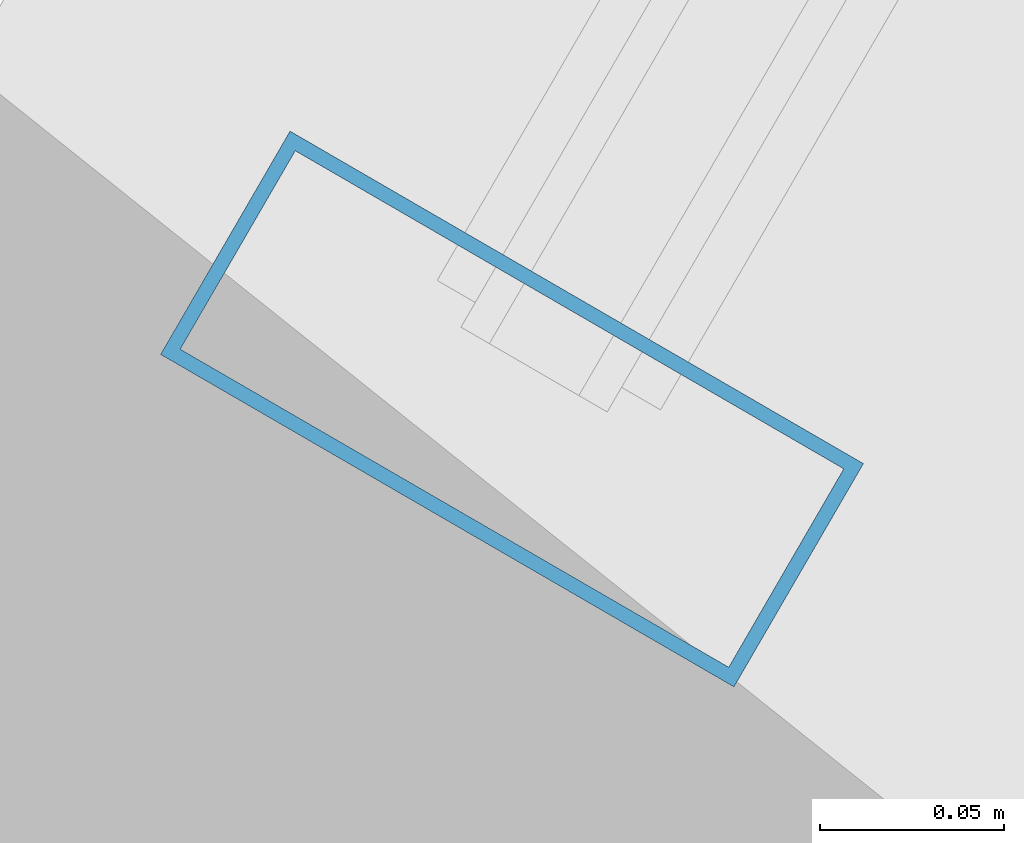
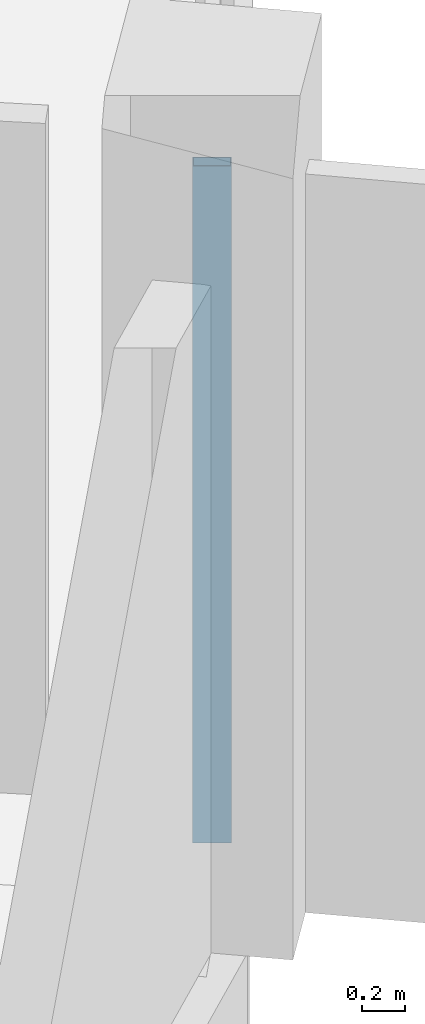
# One storey, part 49 of 156: 1 member, 1 element without a shape of its own.
"""IFC4 building model written with IfcOpenShell, lengths in metres."""

from ifc_helpers import new_model, si_unit, direction, frame, origin, origin_2d, place, context, subcontext, project, spatial, hollow_rectangle, extrude, material, layer, layer_set, material_profile, profile_set, type_object, element, aggregate, save


model = new_model("IFC4")

# Units and contexts
model_context = context("Model", 3, precision=1e-05, world=origin(), true_north=direction((0.0, 1.0)))
body_context = subcontext(model_context, "Body", "Model", "MODEL_VIEW")
ifc_project = project(units=[si_unit("LENGTHUNIT", "METRE"), si_unit("AREAUNIT", "SQUARE_METRE"), si_unit("VOLUMEUNIT", "CUBIC_METRE"), si_unit("PLANEANGLEUNIT", "RADIAN"), si_unit("MASSUNIT", "GRAM", prefix="KILO")], contexts=[model_context])

# Site, building, storey
site_placement = place(None, origin())
site = spatial("IfcSite", under=ifc_project, at=site_placement, CompositionType="ELEMENT")
building_placement = place(site_placement, origin())
building = spatial("IfcBuilding", under=site, at=building_placement, Name="Kazemori Nagisa Stadium", CompositionType="ELEMENT")
storey_placement = place(building_placement, frame((0.0, 0.0, 5.780029296875)))
storey = spatial("IfcBuildingStorey", under=building, at=storey_placement, Name="L01", CompositionType="ELEMENT", Elevation=5.780029296875)

# Curtain wall, member
ifc_material_1 = material(Name="Anodised aluminium 6063-T5", Category="aluminium")
ifc_layer = layer(ifc_material_1, 0.179931640625, Name="Anodised aluminium 6063-T5", Category="aluminium")
ifc_layer_set = layer_set([ifc_layer], Name="Anodised aluminium 6063-T5")
curtain_wall_type = type_object("IfcCurtainWallType", Name="CW_L01R3_99", PredefinedType="USERDEFINED", material=ifc_layer_set)
curtain_wall_placement = place(storey_placement, origin())
curtain_wall = element("IfcCurtainWall", 1, at=curtain_wall_placement, inside=storey, type_object=curtain_wall_type, Name="Unitised curtain wall CW-L01R3-99 L01", ObjectType="UNITISED CURTAIN WALL", PredefinedType="USERDEFINED")
ifc_material_2 = material(Name="Aluminium 6063-T5 anodised", Category="aluminium")
ifc_material_profile = material_profile(ifc_material_2, hollow_rectangle(XDim=0.070068359375, YDim=0.179931640625, WallThickness=0.00390625, at=origin_2d()), Name="ALU-MULL-70x180x4")
ifc_profile_set = profile_set([ifc_material_profile], Name="Aluminium 6063-T5 anodised")
member_type = type_object("IfcMemberType", Name="Mullion_M01", PredefinedType="MULLION", material=ifc_profile_set)
member_placement = place(storey_placement, frame((201.733642578125, 45.7431640625, 0.0), z_axis=(0.0, 0.0, 1.0), x_axis=(0.501611590054, 0.865092950337, 0.0)))
member = element("IfcMember", 2, at=member_placement, type_object=member_type, Name="Curtain wall mullion CW-L01R3-99-M1", PredefinedType="MULLION", context=body_context, shape_type="SweptSolid", body=[
    extrude(hollow_rectangle(XDim=0.070068359375, YDim=0.179931640625, WallThickness=0.00390625, at=origin_2d()), origin(), (0.0, 0.0, 1.0), 3.849853515625),
])
aggregate(curtain_wall, [member])

save(model, "model.ifc")
